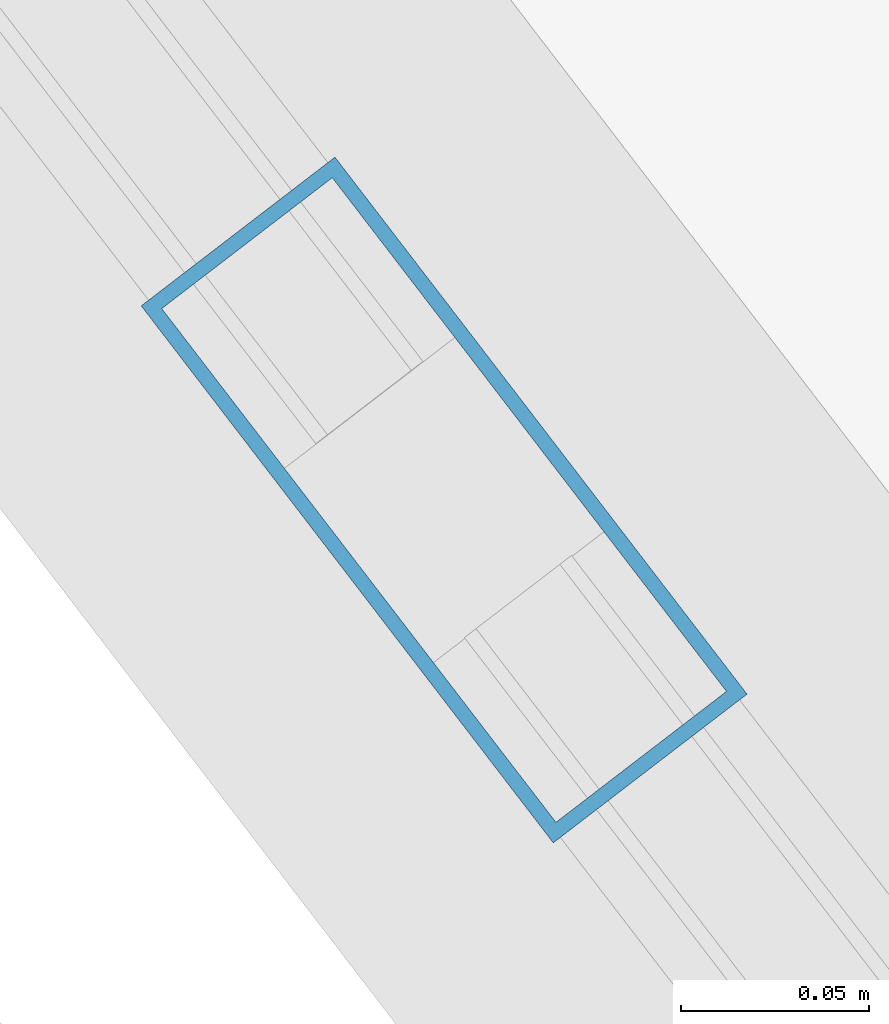
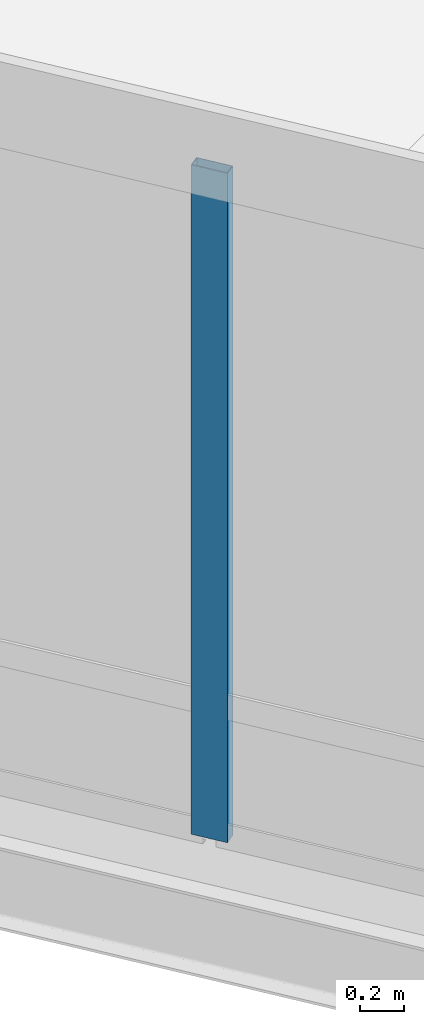
# One storey, part 36 of 185: 1 member, 1 element without a shape of its own.
"""IFC4 building model written with IfcOpenShell, lengths in metres."""

from ifc_helpers import new_model, si_unit, direction, frame, origin, origin_2d, place, context, subcontext, project, spatial, hollow_rectangle, extrude, material, material_profile, profile_set, type_object, element, aggregate, save


model = new_model("IFC4")

# Units and contexts
model_context = context("Model", 3, precision=1e-05, world=origin(), true_north=direction((0.0, 1.0)))
body_context = subcontext(model_context, "Body", "Model", "MODEL_VIEW")
ifc_project = project(units=[si_unit("LENGTHUNIT", "METRE"), si_unit("AREAUNIT", "SQUARE_METRE"), si_unit("VOLUMEUNIT", "CUBIC_METRE"), si_unit("PLANEANGLEUNIT", "RADIAN"), si_unit("MASSUNIT", "GRAM", prefix="KILO")], contexts=[model_context])

# Site, building, storey
site_placement = place(None, origin())
site = spatial("IfcSite", under=ifc_project, at=site_placement, CompositionType="ELEMENT")
building_placement = place(site_placement, origin())
building = spatial("IfcBuilding", under=site, at=building_placement, Name="Vondelvale Polytechnic", CompositionType="ELEMENT")
storey_placement = place(building_placement, frame((0.0, 0.0, 9.60009765625)))
storey = spatial("IfcBuildingStorey", under=building, at=storey_placement, Name="L02", CompositionType="ELEMENT", Elevation=9.60009765625)

# Curtain wall, member
ifc_material_1 = material(Name="Glulam GL18 structural Tasmanian oak (fb = 42 MPa)", Category="wood")
curtain_wall_type = type_object("IfcCurtainWallType", Name="CW-RING-OUTER", PredefinedType="NOTDEFINED", material=ifc_material_1)
curtain_wall_placement = place(storey_placement, origin())
curtain_wall = element("IfcCurtainWall", 1, at=curtain_wall_placement, inside=storey, type_object=curtain_wall_type, Name="L02 architectural curtain wall CW-04-303", PredefinedType="NOTDEFINED")
ifc_material_2 = material(Name="Anodised extruded aluminium 6063-T6", Category="aluminium")
ifc_material_profile = material_profile(ifc_material_2, hollow_rectangle(XDim=0.06494140625, YDim=0.179931640625, WallThickness=0.00390625, at=origin_2d()), Name="CW-MUL-180x65")
ifc_profile_set = profile_set([ifc_material_profile], Name="Anodised extruded aluminium 6063-T6")
member_type = type_object("IfcMemberType", Name="CW-MUL-65x180", PredefinedType="MULLION", material=ifc_profile_set)
member_placement = place(storey_placement, frame((63.356201171875, 47.44482421875, 0.0), z_axis=(0.0, 0.0, 1.0), x_axis=(0.793333825656, 0.608786860133, 0.0)))
member = element("IfcMember", 2, at=member_placement, type_object=member_type, Name="CW-04-303 mullion 2", PredefinedType="MULLION", context=body_context, shape_type="SweptSolid", body=[
    extrude(hollow_rectangle(XDim=0.06494140625, YDim=0.179931640625, WallThickness=0.00390625, at=origin_2d()), origin(), (0.0, 0.0, 1.0), 3.719970703125),
])
aggregate(curtain_wall, [member])

save(model, "model.ifc")
